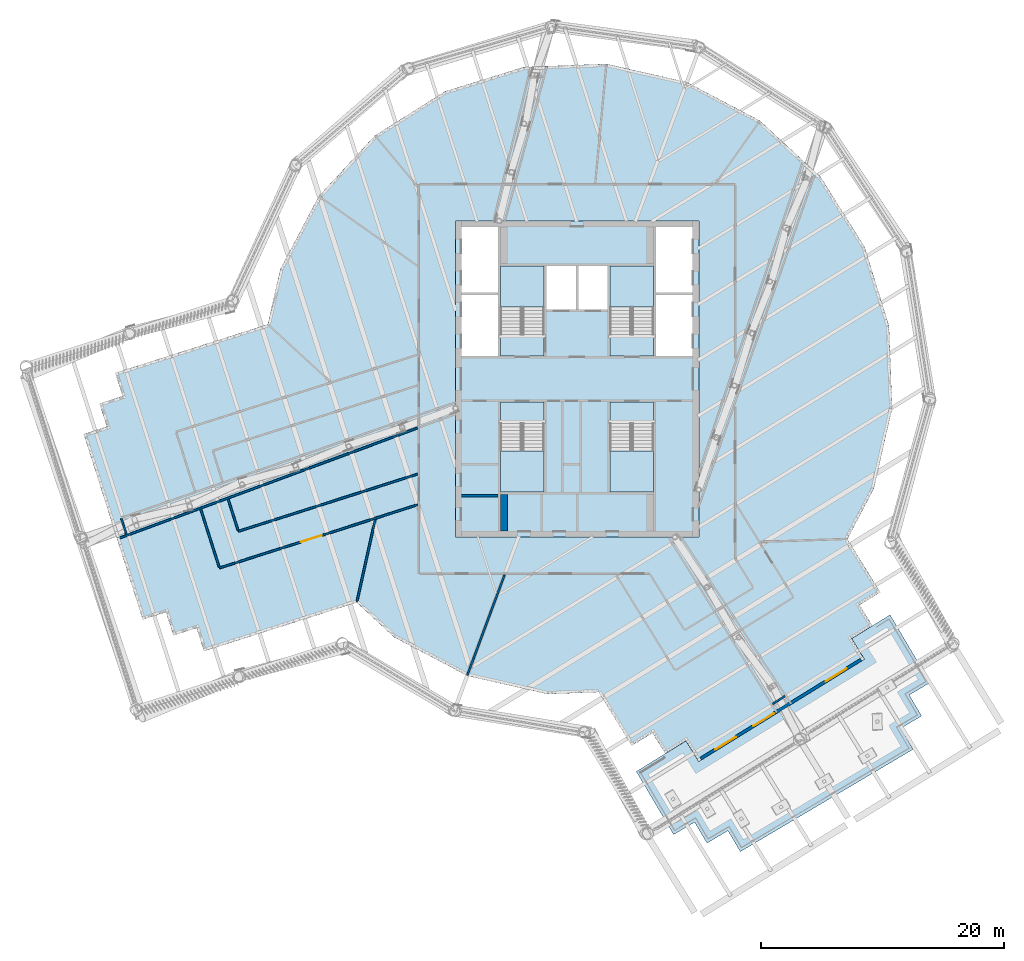
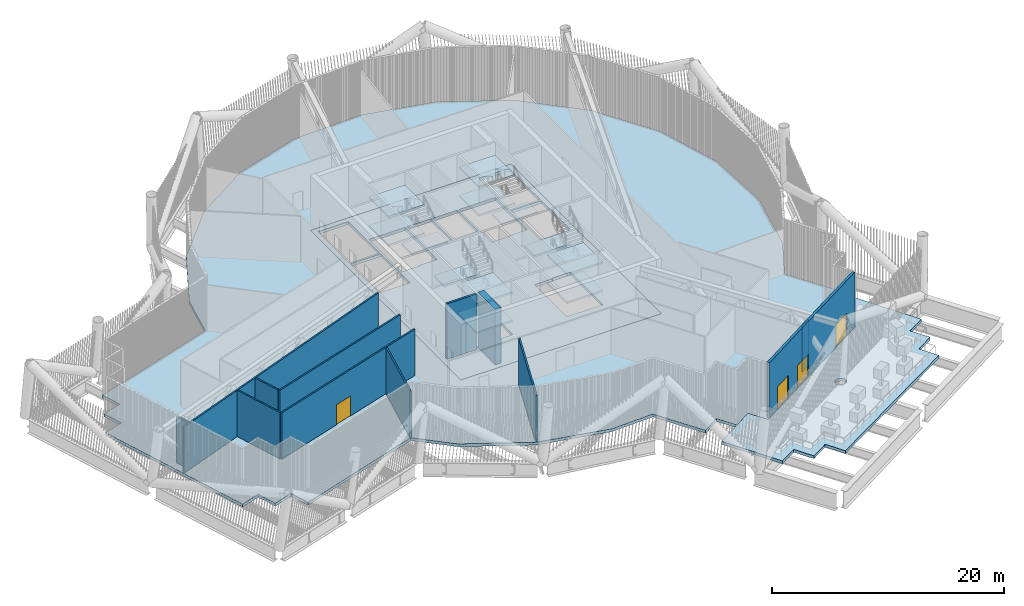
# One storey, part 12 of 40: 15 slabs, 12 walls, 4 doors, 4 openings, 4 elements without a shape of their own.
"""IFC4 building model written with IfcOpenShell, lengths in metres."""

from ifc_helpers import new_model, si_unit, direction, frame, frame_2d, origin, place, context, subcontext, project, spatial, polyline, rectangle, outline, extrude, material, layer, layer_set, type_object, element, fill, aggregate, save


model = new_model("IFC4")

# Units and contexts
model_context = context("Model", 3, precision=1e-05, world=origin(), true_north=direction((0.0, 1.0)))
body_context = subcontext(model_context, "Body", "Model", "MODEL_VIEW")
ifc_project = project(units=[si_unit("LENGTHUNIT", "METRE"), si_unit("AREAUNIT", "SQUARE_METRE"), si_unit("VOLUMEUNIT", "CUBIC_METRE"), si_unit("PLANEANGLEUNIT", "RADIAN"), si_unit("MASSUNIT", "GRAM", prefix="KILO")], contexts=[model_context])

# Site, building, storey
site_placement = place(None, origin())
site = spatial("IfcSite", under=ifc_project, at=site_placement, CompositionType="ELEMENT")
building_placement = place(site_placement, origin())
building = spatial("IfcBuilding", under=site, at=building_placement, Name="Tarsis Ring Headquarters", CompositionType="ELEMENT")
storey_placement = place(building_placement, frame((0.0, 0.0, 354.800048828125)))
storey = spatial("IfcBuildingStorey", under=building, at=storey_placement, Name="L84", CompositionType="ELEMENT", Elevation=354.800048828125)

# Slab
ifc_material_1 = material(Name="Concrete C40/50", Category="concrete")
ifc_layer_1 = layer(ifc_material_1, 0.300048828125)
ifc_layer_set_1 = layer_set([ifc_layer_1], Name="Core floor slab 300 C40/50")
slab_type_1 = type_object("IfcSlabType", Name="Core floor slab 300 C40/50", PredefinedType="FLOOR", material=ifc_layer_set_1)
slab_1_placement = place(storey_placement, frame((0.0, 0.0, -0.300048828125)))
element("IfcSlab", 1, at=slab_1_placement, inside=storey, type_object=slab_type_1, Name="L84 core floor slab", PredefinedType="FLOOR", context=body_context, shape_type="SweptSolid", body=[
    extrude(outline(polyline([(-10.0, -13.0), (10.0, -13.0), (10.0, 13.0), (-10.0, 13.0), (-10.0, -13.0)]), holes=[polyline([(-2.5, 5.699951171875), (-0.10009765625, 5.699951171875), (-0.10009765625, 9.300048828125), (-2.5, 9.300048828125), (-2.5, 5.699951171875)]), polyline([(0.10009765625, 5.699951171875), (2.5, 5.699951171875), (2.5, 9.300048828125), (0.10009765625, 9.300048828125), (0.10009765625, 5.699951171875)]), polyline([(-9.5, 1.89990234375), (-6.5, 1.89990234375), (-6.5, 6.89990234375), (-9.5, 6.89990234375), (-9.5, 1.89990234375)]), polyline([(-9.5, 7.10009765625), (-6.5, 7.10009765625), (-6.5, 12.5), (-9.5, 12.5), (-9.5, 7.10009765625)]), polyline([(6.5, 1.89990234375), (9.5, 1.89990234375), (9.5, 6.89990234375), (6.5, 6.89990234375), (6.5, 1.89990234375)]), polyline([(6.5, 7.10009765625), (9.5, 7.10009765625), (9.5, 12.5), (6.5, 12.5), (6.5, 7.10009765625)]), polyline([(-2.699951171875, 3.760009765625), (-2.699951171875, 9.300048828125), (-6.300048828125, 9.300048828125), (-6.300048828125, 3.659912109375), (-4.4599609375, 3.659912109375), (-4.4599609375, 3.760009765625), (-2.699951171875, 3.760009765625)]), polyline([(6.300048828125, 3.760009765625), (6.300048828125, 9.300048828125), (2.699951171875, 9.300048828125), (2.699951171875, 3.659912109375), (4.5400390625, 3.659912109375), (4.5400390625, 3.760009765625), (6.300048828125, 3.760009765625)]), polyline([(-6.300048828125, -3.760009765625), (-6.300048828125, -9.300048828125), (-2.699951171875, -9.300048828125), (-2.699951171875, -3.659912109375), (-4.5400390625, -3.659912109375), (-4.5400390625, -3.760009765625), (-6.300048828125, -3.760009765625)]), polyline([(2.699951171875, -3.760009765625), (2.699951171875, -9.300048828125), (6.300048828125, -9.300048828125), (6.300048828125, -3.659912109375), (4.4599609375, -3.659912109375), (4.4599609375, -3.760009765625), (2.699951171875, -3.760009765625)])]), origin(), (0.0, 0.0, 1.0), 0.300048828125),
])

# Stair, slabs
ifc_material_2 = material(Name="Core stair 1760")
stair_type = type_object("IfcStairType", Name="Core stair 1760", PredefinedType="HALF_TURN_STAIR", material=ifc_material_2)
stair_1_placement = place(storey_placement, origin())
stair_1 = element("IfcStair", 2, at=stair_1_placement, inside=storey, type_object=stair_type, Name="L84 Firefighting stair", PredefinedType="HALF_TURN_STAIR")
ifc_layer_2 = layer(ifc_material_1, 0.199951171875)
ifc_layer_set_2 = layer_set([ifc_layer_2], Name="Core stair landing 200")
slab_type_2 = type_object("IfcSlabType", Name="Core stair landing 200", PredefinedType="LANDING", material=ifc_layer_set_2)
slab_2_placement = place(storey_placement, frame((0.0, 0.0, 1.300048828125)))
slab_2 = element("IfcSlab", 3, at=slab_2_placement, type_object=slab_type_2, Name="Stair ST1 landing 1", PredefinedType="LANDING", context=body_context, shape_type="SweptSolid", body=[
    extrude(outline(polyline([(-2.699951171875, 5.89990234375), (-2.699951171875, 9.300048828125), (-6.300048828125, 9.300048828125), (-6.300048828125, 5.89990234375), (-2.699951171875, 5.89990234375)])), origin(), (0.0, 0.0, 1.0), 0.199951171875),
])
slab_3_placement = place(storey_placement, frame((0.0, 0.0, 2.800048828125)))
slab_3 = element("IfcSlab", 4, at=slab_3_placement, type_object=slab_type_2, Name="Stair ST1 landing 2", PredefinedType="LANDING", context=body_context, shape_type="SweptSolid", body=[
    extrude(outline(polyline([(-2.699951171875, 1.89990234375), (-2.699951171875, 3.659912109375), (-6.300048828125, 3.659912109375), (-6.300048828125, 1.89990234375), (-2.699951171875, 1.89990234375)])), origin(), (0.0, 0.0, 1.0), 0.199951171875),
])
slab_4_placement = place(storey_placement, frame((0.0, 0.0, 4.300048828125)))
slab_4 = element("IfcSlab", 5, at=slab_4_placement, type_object=slab_type_2, Name="Stair ST1 landing 3", PredefinedType="LANDING", context=body_context, shape_type="SweptSolid", body=[
    extrude(outline(polyline([(-2.699951171875, 5.89990234375), (-2.699951171875, 9.300048828125), (-6.300048828125, 9.300048828125), (-6.300048828125, 5.89990234375), (-2.699951171875, 5.89990234375)])), origin(), (0.0, 0.0, 1.0), 0.199951171875),
])
aggregate(stair_1, [slab_2, slab_3, slab_4])

stair_2_placement = place(storey_placement, origin())
stair_2 = element("IfcStair", 6, at=stair_2_placement, inside=storey, type_object=stair_type, Name="L84 Exit stair B", PredefinedType="HALF_TURN_STAIR")
slab_5_placement = place(storey_placement, frame((0.0, 0.0, 1.300048828125)))
slab_5 = element("IfcSlab", 7, at=slab_5_placement, type_object=slab_type_2, Name="Stair ST2 landing 1", PredefinedType="LANDING", context=body_context, shape_type="SweptSolid", body=[
    extrude(outline(polyline([(6.300048828125, 5.89990234375), (6.300048828125, 9.300048828125), (2.699951171875, 9.300048828125), (2.699951171875, 5.89990234375), (6.300048828125, 5.89990234375)])), origin(), (0.0, 0.0, 1.0), 0.199951171875),
])
slab_6_placement = place(storey_placement, frame((0.0, 0.0, 2.800048828125)))
slab_6 = element("IfcSlab", 8, at=slab_6_placement, type_object=slab_type_2, Name="Stair ST2 landing 2", PredefinedType="LANDING", context=body_context, shape_type="SweptSolid", body=[
    extrude(outline(polyline([(6.300048828125, 1.89990234375), (6.300048828125, 3.659912109375), (2.699951171875, 3.659912109375), (2.699951171875, 1.89990234375), (6.300048828125, 1.89990234375)])), origin(), (0.0, 0.0, 1.0), 0.199951171875),
])
slab_7_placement = place(storey_placement, frame((0.0, 0.0, 4.300048828125)))
slab_7 = element("IfcSlab", 9, at=slab_7_placement, type_object=slab_type_2, Name="Stair ST2 landing 3", PredefinedType="LANDING", context=body_context, shape_type="SweptSolid", body=[
    extrude(outline(polyline([(6.300048828125, 5.89990234375), (6.300048828125, 9.300048828125), (2.699951171875, 9.300048828125), (2.699951171875, 5.89990234375), (6.300048828125, 5.89990234375)])), origin(), (0.0, 0.0, 1.0), 0.199951171875),
])
aggregate(stair_2, [slab_5, slab_6, slab_7])

stair_3_placement = place(storey_placement, origin())
stair_3 = element("IfcStair", 10, at=stair_3_placement, inside=storey, type_object=stair_type, Name="L84 Exit stair C", PredefinedType="HALF_TURN_STAIR")
slab_8_placement = place(storey_placement, frame((0.0, 0.0, 1.300048828125)))
slab_8 = element("IfcSlab", 11, at=slab_8_placement, type_object=slab_type_2, Name="Stair ST3 landing 1", PredefinedType="LANDING", context=body_context, shape_type="SweptSolid", body=[
    extrude(outline(polyline([(-6.300048828125, -5.89990234375), (-6.300048828125, -9.300048828125), (-2.699951171875, -9.300048828125), (-2.699951171875, -5.89990234375), (-6.300048828125, -5.89990234375)])), origin(), (0.0, 0.0, 1.0), 0.199951171875),
])
slab_9_placement = place(storey_placement, frame((0.0, 0.0, 2.800048828125)))
slab_9 = element("IfcSlab", 12, at=slab_9_placement, type_object=slab_type_2, Name="Stair ST3 landing 2", PredefinedType="LANDING", context=body_context, shape_type="SweptSolid", body=[
    extrude(outline(polyline([(-6.300048828125, -1.89990234375), (-6.300048828125, -3.659912109375), (-2.699951171875, -3.659912109375), (-2.699951171875, -1.89990234375), (-6.300048828125, -1.89990234375)])), origin(), (0.0, 0.0, 1.0), 0.199951171875),
])
slab_10_placement = place(storey_placement, frame((0.0, 0.0, 4.300048828125)))
slab_10 = element("IfcSlab", 13, at=slab_10_placement, type_object=slab_type_2, Name="Stair ST3 landing 3", PredefinedType="LANDING", context=body_context, shape_type="SweptSolid", body=[
    extrude(outline(polyline([(-6.300048828125, -5.89990234375), (-6.300048828125, -9.300048828125), (-2.699951171875, -9.300048828125), (-2.699951171875, -5.89990234375), (-6.300048828125, -5.89990234375)])), origin(), (0.0, 0.0, 1.0), 0.199951171875),
])
aggregate(stair_3, [slab_8, slab_9, slab_10])

stair_4_placement = place(storey_placement, origin())
stair_4 = element("IfcStair", 14, at=stair_4_placement, inside=storey, type_object=stair_type, Name="L84 Exit stair D", PredefinedType="HALF_TURN_STAIR")
slab_11_placement = place(storey_placement, frame((0.0, 0.0, 1.300048828125)))
slab_11 = element("IfcSlab", 15, at=slab_11_placement, type_object=slab_type_2, Name="Stair ST4 landing 1", PredefinedType="LANDING", context=body_context, shape_type="SweptSolid", body=[
    extrude(outline(polyline([(2.699951171875, -5.89990234375), (2.699951171875, -9.300048828125), (6.300048828125, -9.300048828125), (6.300048828125, -5.89990234375), (2.699951171875, -5.89990234375)])), origin(), (0.0, 0.0, 1.0), 0.199951171875),
])
slab_12_placement = place(storey_placement, frame((0.0, 0.0, 2.800048828125)))
slab_12 = element("IfcSlab", 16, at=slab_12_placement, type_object=slab_type_2, Name="Stair ST4 landing 2", PredefinedType="LANDING", context=body_context, shape_type="SweptSolid", body=[
    extrude(outline(polyline([(2.699951171875, -1.89990234375), (2.699951171875, -3.659912109375), (6.300048828125, -3.659912109375), (6.300048828125, -1.89990234375), (2.699951171875, -1.89990234375)])), origin(), (0.0, 0.0, 1.0), 0.199951171875),
])
slab_13_placement = place(storey_placement, frame((0.0, 0.0, 4.300048828125)))
slab_13 = element("IfcSlab", 17, at=slab_13_placement, type_object=slab_type_2, Name="Stair ST4 landing 3", PredefinedType="LANDING", context=body_context, shape_type="SweptSolid", body=[
    extrude(outline(polyline([(2.699951171875, -5.89990234375), (2.699951171875, -9.300048828125), (6.300048828125, -9.300048828125), (6.300048828125, -5.89990234375), (2.699951171875, -5.89990234375)])), origin(), (0.0, 0.0, 1.0), 0.199951171875),
])
aggregate(stair_4, [slab_11, slab_12, slab_13])

# Slabs
ifc_material_3 = material(Name="Concrete C35/45", Category="concrete")
ifc_layer_3 = layer(ifc_material_3, 0.300048828125)
ifc_layer_set_3 = layer_set([ifc_layer_3], Name="FS Composite floor slab 300")
slab_type_3 = type_object("IfcSlabType", Name="FS Composite floor slab 300", PredefinedType="FLOOR", material=ifc_layer_set_3)
slab_14_placement = place(storey_placement, frame((0.0, 0.0, -0.300048828125)))
element("IfcSlab", 18, at=slab_14_placement, inside=storey, type_object=slab_type_3, Name="Floor slab L84", PredefinedType="FLOOR", context=body_context, shape_type="SweptSolid", body=[
    extrude(outline(polyline([(-18.10546875, -18.365966796875), (-15.03173828125, -21.21435546875), (-9.02880859375, -24.382080078125), (-2.41064453125, -25.887939453125), (1.77685546875, -25.728515625), (4.492919921875, -30.1298828125), (6.19482421875, -29.07958984375), (7.245361328125, -30.781494140625), (8.947265625, -29.731201171875), (9.99755859375, -31.43310546875), (23.613525390625, -23.030517578125), (22.563232421875, -21.328369140625), (24.26513671875, -20.278076171875), (23.21484375, -18.576171875), (24.916748046875, -17.525634765625), (22.21142578125, -13.14208984375), (24.382080078125, -9.02880859375), (25.887939453125, -2.41064453125), (25.6298828125, 4.371826171875), (23.625, 10.856201171875), (20.01025390625, 16.60107421875), (15.03173828125, 21.21435546875), (9.02880859375, 24.382080078125), (2.41064453125, 25.887939453125), (-4.371826171875, 25.6298828125), (-10.856201171875, 23.625), (-16.60107421875, 20.01025390625), (-21.21435546875, 15.03173828125), (-24.382080078125, 9.02880859375), (-25.413818359375, 4.494140625), (-37.944091796875, 0.5), (-37.336669921875, -1.405517578125), (-39.2421875, -2.012939453125), (-38.634765625, -3.91845703125), (-40.540283203125, -4.52587890625), (-35.68115234375, -19.770263671875), (-33.775634765625, -19.162841796875), (-33.168212890625, -21.068359375), (-31.2626953125, -20.4609375), (-30.6552734375, -22.366455078125), (-18.10546875, -18.365966796875)]), holes=[polyline([(-10.0, -13.0), (-10.0, 13.0), (10.0, 13.0), (10.0, -13.0), (-10.0, -13.0)])]), origin(), (0.0, 0.0, 1.0), 0.300048828125),
])
ifc_layer_4 = layer(ifc_material_3, 0.300048828125)
ifc_layer_set_4 = layer_set([ifc_layer_4], Name="FS Terrace slab 300")
slab_type_4 = type_object("IfcSlabType", Name="FS Terrace slab 300", PredefinedType="FLOOR", material=ifc_layer_set_4)
slab_15_placement = place(storey_placement, frame((0.0, 0.0, -0.300048828125)))
element("IfcSlab", 19, at=slab_15_placement, inside=storey, type_object=slab_type_4, Name="Terrace slab L84", PredefinedType="FLOOR", context=body_context, shape_type="SweptSolid", body=[
    extrude(outline(polyline([(8.947265625, -29.731201171875), (4.865478515625, -32.250244140625), (7.934814453125, -37.43212890625), (9.655517578125, -36.412841796875), (10.6748046875, -38.133544921875), (12.3955078125, -37.1142578125), (13.414794921875, -38.835205078125), (27.611328125, -30.426025390625), (26.592041015625, -28.705322265625), (28.312744140625, -27.68603515625), (27.29345703125, -25.965087890625), (29.01416015625, -24.94580078125), (25.71826171875, -19.38134765625), (22.563232421875, -21.328369140625), (23.613525390625, -23.030517578125), (23.613525390625, -23.030517578125), (15.19384765625, -28.2265625), (9.99755859375, -31.43310546875), (9.99755859375, -31.43310546875), (9.99755859375, -31.43310546875), (8.947265625, -29.731201171875)]), holes=[polyline([(18.71923828125, -29.8515625), (18.694091796875, -29.893798828125), (18.66455078125, -29.933349609375), (18.63134765625, -29.969970703125), (18.594970703125, -30.003173828125), (18.555419921875, -30.032470703125), (18.512939453125, -30.057861328125), (18.468505859375, -30.078857421875), (18.421875, -30.095458984375), (18.3740234375, -30.107666015625), (18.325439453125, -30.11474609375), (18.276123046875, -30.1171875), (18.226806640625, -30.11474609375), (18.177978515625, -30.107666015625), (18.130126953125, -30.095458984375), (18.083740234375, -30.078857421875), (18.0390625, -30.057861328125), (17.996826171875, -30.032470703125), (17.957275390625, -30.003173828125), (17.920654296875, -29.969970703125), (17.887451171875, -29.933349609375), (17.858154296875, -29.893798828125), (17.832763671875, -29.8515625), (17.811767578125, -29.806884765625), (17.795166015625, -29.760498046875), (17.783203125, -29.712646484375), (17.77587890625, -29.663818359375), (17.7734375, -29.614501953125), (17.77587890625, -29.5654296875), (17.783203125, -29.5166015625), (17.795166015625, -29.46875), (17.811767578125, -29.42236328125), (17.832763671875, -29.377685546875), (17.858154296875, -29.33544921875), (17.887451171875, -29.295654296875), (17.920654296875, -29.25927734375), (17.957275390625, -29.22607421875), (17.996826171875, -29.19677734375), (18.0390625, -29.17138671875), (18.083740234375, -29.150146484375), (18.130126953125, -29.133544921875), (18.177978515625, -29.12158203125), (18.226806640625, -29.114501953125), (18.276123046875, -29.112060546875), (18.325439453125, -29.114501953125), (18.3740234375, -29.12158203125), (18.421875, -29.133544921875), (18.468505859375, -29.150146484375), (18.512939453125, -29.17138671875), (18.555419921875, -29.19677734375), (18.594970703125, -29.22607421875), (18.63134765625, -29.25927734375), (18.66455078125, -29.295654296875), (18.694091796875, -29.33544921875), (18.71923828125, -29.377685546875), (18.740478515625, -29.42236328125), (18.757080078125, -29.46875), (18.76904296875, -29.5166015625), (18.7763671875, -29.5654296875), (18.778564453125, -29.614501953125), (18.7763671875, -29.663818359375), (18.76904296875, -29.712646484375), (18.757080078125, -29.760498046875), (18.740478515625, -29.806884765625), (18.71923828125, -29.8515625)])]), origin(), (0.0, 0.0, 1.0), 0.300048828125),
])

# Walls
ifc_material_4 = material(Name="Blockwork", Category="masonry")
ifc_layer_5 = layer(ifc_material_4, 0.199951171875)
ifc_layer_set_5 = layer_set([ifc_layer_5], Name="Core blockwork wall 200")
wall_type_1 = type_object("IfcWallType", Name="Core blockwork wall 200", PredefinedType="PARTITIONING", material=ifc_layer_set_5)
wall_1_placement = place(storey_placement, frame((-9.5, -9.60009765625, 0.0), z_axis=(0.0, 0.0, 1.0), x_axis=(1.0, 0.0, 0.0)))
element("IfcWall", 20, at=wall_1_placement, inside=storey, type_object=wall_type_1, Name="Core partition WD1", PredefinedType="PARTITIONING", context=body_context, shape_type="SweptSolid", body=[
    extrude(rectangle(XDim=3.0, YDim=0.199951171875, at=frame_2d((1.5, 0.0))), origin(), (0.0, 0.0, 1.0), 5.83984375),
])
ifc_material_5 = material(Name="Gypsum board on steel studs", Category="steel")
ifc_layer_6 = layer(ifc_material_5, 0.14990234375)
ifc_layer_set_6 = layer_set([ifc_layer_6], Name="FL partition 150 EI 120 H4870")
wall_type_2 = type_object("IfcWallType", Name="FL partition 150 EI 120 H4870", PredefinedType="PARTITIONING", material=ifc_layer_set_6)
wall_2_placement = place(storey_placement, frame((-37.744384765625, -13.131591796875, 0.0), z_axis=(0.0, 0.0, 1.0), x_axis=(0.938053540964, 0.34649033794, 0.0)))
element("IfcWall", 21, at=wall_2_placement, inside=storey, type_object=wall_type_2, Name="Partition PW2H487", PredefinedType="PARTITIONING", context=body_context, shape_type="SweptSolid", body=[
    extrude(rectangle(XDim=26.270751953125, YDim=0.14990234375, at=frame_2d((13.13525390625, 0.0))), origin(), (0.0, 0.0, 1.0), 4.869873046875),
])

# Wall, opening, door
wall_3_placement = place(storey_placement, frame((-29.38232421875, -15.52685546875, 0.0), z_axis=(0.0, 0.0, 1.0), x_axis=(0.952766968881, 0.303702326317, 0.0)))
wall_3 = element("IfcWall", 22, at=wall_3_placement, inside=storey, type_object=wall_type_2, Name="Partition PW2H487", PredefinedType="PARTITIONING", context=body_context, shape_type="SweptSolid", body=[
    extrude(rectangle(XDim=17.094482421875, YDim=0.14990234375, at=frame_2d((8.54736328125, 0.0))), origin(), (0.0, 0.0, 1.0), 4.869873046875),
])
opening_1_placement = place(wall_3_placement, frame((7.028564453125, 0.0, 0.0)))
opening_1 = element("IfcOpeningElement", 23, at=opening_1_placement, cuts=wall_3, Name="Opening D84.01", PredefinedType="OPENING", context=body_context, shape_type="SweptSolid", body=[
    extrude(rectangle(XDim=1.800048828125, YDim=2.10009765625, at=frame_2d((0.89990234375, 1.050048828125))), frame((0.0, 0.0849609375, 0.0), z_axis=(0.0, -1.0, 0.0), x_axis=(1.0, 0.0, 0.0)), (0.0, 0.0, 1.0), 0.169921875),
])
ifc_material_6 = material(Name="Fire-rated timber door leaf in steel frame", Category="steel")
door_type_1 = type_object("IfcDoorType", Name="FL door FD120-1800", OperationType="DOUBLE_DOOR_SINGLE_SWING", PredefinedType="DOOR", material=ifc_material_6)
door_1_placement = place(opening_1_placement, origin())
door_1 = element("IfcDoor", 24, at=door_1_placement, inside=storey, type_object=door_type_1, Name="Door D84.01", OperationType="DOUBLE_DOOR_SINGLE_SWING", OverallHeight=2.10009765625, OverallWidth=1.800048828125, PredefinedType="DOOR", context=body_context, shape_type="SweptSolid", body=[
    extrude(rectangle(XDim=1.800048828125, YDim=2.10009765625, at=frame_2d((0.89990234375, 1.050048828125))), frame((0.0, 0.02490234375, 0.0), z_axis=(0.0, -1.0, 0.0), x_axis=(1.0, 0.0, 0.0)), (0.0, 0.0, 1.0), 0.050048828125),
])
fill(opening_1, door_1)

# Walls
wall_4_placement = place(storey_placement, frame((-27.824462890625, -12.51123046875, 0.0), z_axis=(0.0, 0.0, 1.0), x_axis=(0.952766985526, 0.303702274099, 0.0)))
element("IfcWall", 25, at=wall_4_placement, inside=storey, type_object=wall_type_2, Name="Partition PW2H487", PredefinedType="PARTITIONING", context=body_context, shape_type="SweptSolid", body=[
    extrude(rectangle(XDim=15.45947265625, YDim=0.14990234375, at=frame_2d((7.729736328125, 0.0))), origin(), (0.0, 0.0, 1.0), 4.869873046875),
])
wall_5_placement = place(storey_placement, frame((-9.0107421875, -24.3330078125, 0.0), z_axis=(0.0, 0.0, 1.0), x_axis=(0.347259149131, 0.937769205799, 0.0)))
element("IfcWall", 26, at=wall_5_placement, inside=storey, type_object=wall_type_2, Name="Partition PW2H487", PredefinedType="PARTITIONING", context=body_context, shape_type="SweptSolid", body=[
    extrude(rectangle(XDim=8.7861328125, YDim=0.14990234375, at=frame_2d((4.39306640625, 0.0))), origin(), (0.0, 0.0, 1.0), 4.869873046875),
])
wall_6_placement = place(storey_placement, frame((-18.081787109375, -18.27978515625, 0.0), z_axis=(0.0, 0.0, 1.0), x_axis=(0.217632327146, 0.976030824401, 0.0)))
element("IfcWall", 27, at=wall_6_placement, inside=storey, type_object=wall_type_2, Name="Partition PW2H487", PredefinedType="PARTITIONING", context=body_context, shape_type="SweptSolid", body=[
    extrude(rectangle(XDim=6.88671875, YDim=0.14990234375, at=frame_2d((3.443359375, 0.0))), origin(), (0.0, 0.0, 1.0), 4.869873046875),
])
wall_7_placement = place(storey_placement, frame((-30.923095703125, -10.693359375, 0.0), z_axis=(0.0, 0.0, 1.0), x_axis=(0.30373236792, -0.95275739235, 0.0)))
element("IfcWall", 28, at=wall_7_placement, inside=storey, type_object=wall_type_2, Name="Partition PW2H487", PredefinedType="PARTITIONING", context=body_context, shape_type="SweptSolid", body=[
    extrude(rectangle(XDim=4.9931640625, YDim=0.14990234375, at=frame_2d((2.49658203125, 0.0))), origin(), (0.0, 0.0, 1.0), 4.869873046875),
])
wall_8_placement = place(storey_placement, frame((-28.669189453125, -9.861083984375, 0.0), z_axis=(0.0, 0.0, 1.0), x_axis=(0.303647511848, -0.952784439707, 0.0)))
element("IfcWall", 29, at=wall_8_placement, inside=storey, type_object=wall_type_2, Name="Partition PW2H487", PredefinedType="PARTITIONING", context=body_context, shape_type="SweptSolid", body=[
    extrude(rectangle(XDim=2.701416015625, YDim=0.14990234375, at=frame_2d((1.3505859375, 0.0))), origin(), (0.0, 0.0, 1.0), 4.869873046875),
])
wall_9_placement = place(storey_placement, frame((-37.43310546875, -11.475341796875, 0.0), z_axis=(0.0, 0.0, 1.0), x_axis=(0.303794730098, -0.952737509477, 0.0)))
element("IfcWall", 30, at=wall_9_placement, inside=storey, type_object=wall_type_2, Name="Partition PW2H487", PredefinedType="PARTITIONING", context=body_context, shape_type="SweptSolid", body=[
    extrude(rectangle(XDim=1.36376953125, YDim=0.14990234375, at=frame_2d((0.681884765625, 0.0))), origin(), (0.0, 0.0, 1.0), 4.869873046875),
])
wall_10_placement = place(storey_placement, frame((16.064697265625, -26.690185546875, 0.0), z_axis=(0.0, 0.0, 1.0), x_axis=(0.850999151945, 0.525167062361, 0.0)))
element("IfcWall", 31, at=wall_10_placement, inside=storey, type_object=wall_type_2, Name="Partition PW2H487", PredefinedType="PARTITIONING", context=body_context, shape_type="SweptSolid", body=[
    extrude(rectangle(XDim=1.196533203125, YDim=0.14990234375, at=frame_2d((0.59814453125, 0.0))), origin(), (0.0, 0.0, 1.0), 4.869873046875),
])

# Wall, openings, doors
ifc_material_7 = material(Name="Terracotta clad insulated panel wall", Category="masonry")
ifc_layer_7 = layer(ifc_material_7, 0.25)
ifc_layer_set_7 = layer_set([ifc_layer_7], Name="Facade wall terracotta panel 250")
wall_type_3 = type_object("IfcWallType", Name="Facade wall terracotta panel 250", PredefinedType="STANDARD", material=ifc_layer_set_7)
wall_11_placement = place(storey_placement, frame((10.144775390625, -31.195556640625, 0.0), z_axis=(0.0, 0.0, 1.0), x_axis=(0.850996772278, 0.525170918437, 0.0)))
wall_11 = element("IfcWall", 32, at=wall_11_placement, inside=storey, type_object=wall_type_3, Name="External wall L84-11", PredefinedType="STANDARD", context=body_context, shape_type="SweptSolid", body=[
    extrude(rectangle(XDim=15.5, YDim=0.25, at=frame_2d((7.75, 0.0))), origin(), (0.0, 0.0, 1.0), 5.83984375),
])
opening_2_placement = place(wall_11_placement, frame((1.416748046875, 0.0, 0.0)))
opening_2 = element("IfcOpeningElement", 33, at=opening_2_placement, cuts=wall_11, Name="Opening L84-BD01", PredefinedType="OPENING", context=body_context, shape_type="SweptSolid", body=[
    extrude(rectangle(XDim=2.0, YDim=2.39990234375, at=frame_2d((1.0, 1.199951171875))), frame((0.0, 0.135009765625, 0.0), z_axis=(0.0, -1.0, 0.0), x_axis=(1.0, 0.0, 0.0)), (0.0, 0.0, 1.0), 0.27001953125),
])
opening_3_placement = place(wall_11_placement, frame((5.10009765625, 0.0, 0.0)))
opening_3 = element("IfcOpeningElement", 34, at=opening_3_placement, cuts=wall_11, Name="Opening L84-BD02", PredefinedType="OPENING", context=body_context, shape_type="SweptSolid", body=[
    extrude(rectangle(XDim=2.0, YDim=2.39990234375, at=frame_2d((1.0, 1.199951171875))), frame((0.0, 0.135009765625, 0.0), z_axis=(0.0, -1.0, 0.0), x_axis=(1.0, 0.0, 0.0)), (0.0, 0.0, 1.0), 0.27001953125),
])
opening_4_placement = place(wall_11_placement, frame((12.083251953125, 0.0, 0.0)))
opening_4 = element("IfcOpeningElement", 35, at=opening_4_placement, cuts=wall_11, Name="Opening L84-BD03", PredefinedType="OPENING", context=body_context, shape_type="SweptSolid", body=[
    extrude(rectangle(XDim=2.0, YDim=2.39990234375, at=frame_2d((1.0, 1.199951171875))), frame((0.0, 0.135009765625, 0.0), z_axis=(0.0, -1.0, 0.0), x_axis=(1.0, 0.0, 0.0)), (0.0, 0.0, 1.0), 0.27001953125),
])
ifc_material_8 = material(Name="Aluminium framed double glazing", Category="aluminium")
door_type_2 = type_object("IfcDoorType", Name="Balcony sliding door 2000 x 2400", OperationType="SLIDING_TO_LEFT", PredefinedType="DOOR", material=ifc_material_8)
door_2_placement = place(opening_2_placement, origin())
door_2 = element("IfcDoor", 36, at=door_2_placement, inside=storey, type_object=door_type_2, Name="Door L84-BD01", OperationType="SINGLE_SWING_LEFT", OverallHeight=2.39990234375, OverallWidth=2.0, PredefinedType="DOOR", context=body_context, shape_type="SweptSolid", body=[
    extrude(rectangle(XDim=2.0, YDim=2.39990234375, at=frame_2d((1.0, 1.199951171875))), frame((0.0, 0.02490234375, 0.0), z_axis=(0.0, -1.0, 0.0), x_axis=(1.0, 0.0, 0.0)), (0.0, 0.0, 1.0), 0.050048828125),
])
fill(opening_2, door_2)
door_3_placement = place(opening_3_placement, origin())
door_3 = element("IfcDoor", 37, at=door_3_placement, inside=storey, type_object=door_type_2, Name="Door L84-BD02", OperationType="SINGLE_SWING_LEFT", OverallHeight=2.39990234375, OverallWidth=2.0, PredefinedType="DOOR", context=body_context, shape_type="SweptSolid", body=[
    extrude(rectangle(XDim=2.0, YDim=2.39990234375, at=frame_2d((1.0, 1.199951171875))), frame((0.0, 0.02490234375, 0.0), z_axis=(0.0, -1.0, 0.0), x_axis=(1.0, 0.0, 0.0)), (0.0, 0.0, 1.0), 0.050048828125),
])
fill(opening_3, door_3)
door_4_placement = place(opening_4_placement, origin())
door_4 = element("IfcDoor", 38, at=door_4_placement, inside=storey, type_object=door_type_2, Name="Door L84-BD03", OperationType="SINGLE_SWING_LEFT", OverallHeight=2.39990234375, OverallWidth=2.0, PredefinedType="DOOR", context=body_context, shape_type="SweptSolid", body=[
    extrude(rectangle(XDim=2.0, YDim=2.39990234375, at=frame_2d((1.0, 1.199951171875))), frame((0.0, 0.02490234375, 0.0), z_axis=(0.0, -1.0, 0.0), x_axis=(1.0, 0.0, 0.0)), (0.0, 0.0, 1.0), 0.050048828125),
])
fill(opening_4, door_4)

# Wall
ifc_material_9 = material(Name="Concrete C32/40", Category="concrete")
ifc_layer_8 = layer(ifc_material_9, 0.60009765625)
ifc_layer_set_8 = layer_set([ifc_layer_8], Name="Shaft end wall 600 C32/40")
wall_type_4 = type_object("IfcWallType", Name="Shaft end wall 600 C32/40", PredefinedType="SOLIDWALL", material=ifc_layer_set_8)
wall_12_placement = place(storey_placement, frame((-6.0, -12.5, 0.0), z_axis=(0.0, 0.0, 1.0), x_axis=(0.0, 1.0, 0.0)))
element("IfcWall", 39, at=wall_12_placement, inside=storey, type_object=wall_type_4, Name="Core shaft wall SNE1", PredefinedType="SOLIDWALL", context=body_context, shape_type="SweptSolid", body=[
    extrude(rectangle(XDim=3.0, YDim=0.60009765625, at=frame_2d((1.5, 0.0))), origin(), (0.0, 0.0, 1.0), 5.83984375),
])

save(model, "model.ifc")
